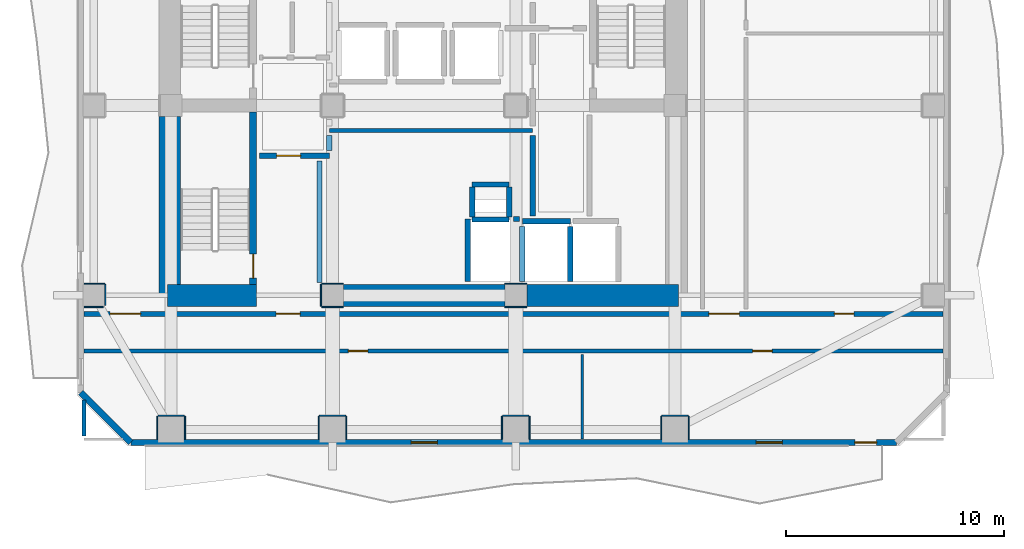
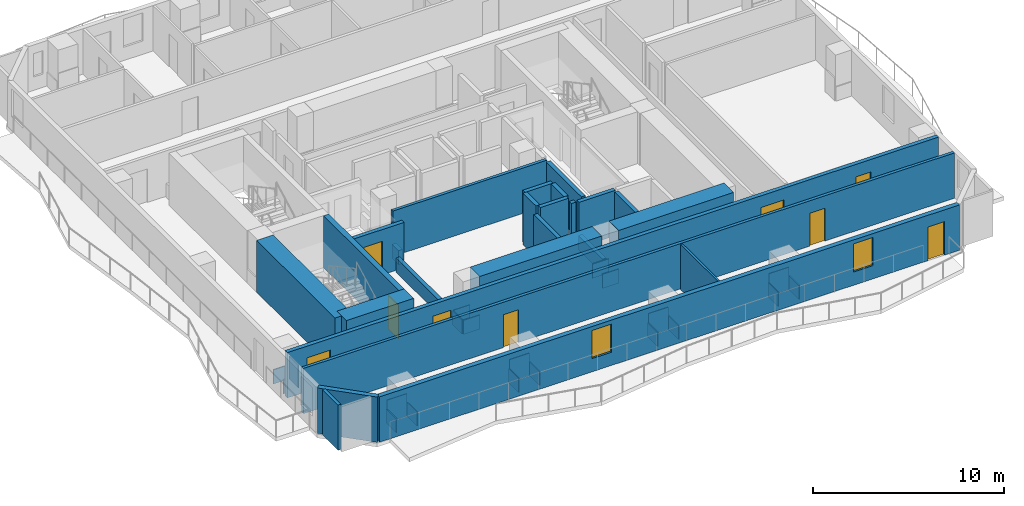
# One storey, part 2 of 9: 45 walls, 9 doors, 2 windows, 11 openings.
"""IFC4 building model written with IfcOpenShell, lengths in metres."""

from ifc_helpers import new_model, si_unit, direction, frame, frame_2d, origin, place, context, subcontext, project, spatial, rectangle, extrude, material, layer, layer_set, type_object, element, fill, save


model = new_model("IFC4")

# Units and contexts
model_context = context("Model", 3, precision=1e-05, world=origin(), true_north=direction((0.0, 1.0)))
body_context = subcontext(model_context, "Body", "Model", "MODEL_VIEW")
ifc_project = project(units=[si_unit("LENGTHUNIT", "METRE"), si_unit("AREAUNIT", "SQUARE_METRE"), si_unit("VOLUMEUNIT", "CUBIC_METRE"), si_unit("PLANEANGLEUNIT", "RADIAN"), si_unit("MASSUNIT", "GRAM", prefix="KILO")], contexts=[model_context])

# Site, building, storey
site_placement = place(None, origin())
site = spatial("IfcSite", under=ifc_project, at=site_placement, CompositionType="ELEMENT")
building_placement = place(site_placement, origin())
building = spatial("IfcBuilding", under=site, at=building_placement, Name="Solanera Arch Residences", CompositionType="ELEMENT")
storey_placement = place(building_placement, frame((0.0, 0.0, 162.52001953125)))
storey = spatial("IfcBuildingStorey", under=building, at=storey_placement, Name="L47", CompositionType="ELEMENT", Elevation=162.52001953125)

# Walls
ifc_material_1 = material(Name="Fire-Rated Gypsum Stud Partition", Category="gypsum")
ifc_layer_1 = layer(ifc_material_1, 0.06005859375)
ifc_layer_set_1 = layer_set([ifc_layer_1], Name="Fire-Rated Gypsum Stud Partition")
wall_type_1 = type_object("IfcWallType", Name="Column Acoustic Furring Wall 60", PredefinedType="PARTITIONING", material=ifc_layer_set_1)
for number, where, z_axis, x_axis, name in (
    (1, (20.300048828125, 21.468017578125, 0.0), (0.0, 0.0, 1.0), (1.0, 0.0, 0.0), "L47 Column Furring 1S"),
    (2, (20.300048828125, 22.531982421875, 0.0), (0.0, 0.0, 1.0), (1.0, 0.0, 0.0), "L47 Column Furring 1N"),
    (3, (20.26806640625, 21.5, 0.0), (0.0, 0.0, 1.0), (0.0, 1.0, 0.0), "L47 Column Furring 1W"),
    (4, (28.699951171875, 21.468017578125, 0.0), (0.0, 0.0, 1.0), (1.0, 0.0, 0.0), "L47 Column Furring 2S"),
    (5, (28.699951171875, 22.531982421875, 0.0), (0.0, 0.0, 1.0), (1.0, 0.0, 0.0), "L47 Column Furring 2N"),
):
    element("IfcWall", number, at=place(storey_placement, frame(where, z_axis=z_axis, x_axis=x_axis)), inside=storey, type_object=wall_type_1, Name=name, PredefinedType="PARTITIONING", context=body_context, shape_type="SweptSolid", body=[
        extrude(rectangle(XDim=1.0, YDim=0.06005859375, at=frame_2d((0.5, 0.0))), origin(), (0.0, 0.0, 1.0), 0.905029296875),
    ])
wall_1_placement = place(storey_placement, frame((12.800048828125, 16.48193359375, 0.0), z_axis=(0.0, 0.0, 1.0), x_axis=(1.0, 0.0, 0.0)))
element("IfcWall", 6, at=wall_1_placement, inside=storey, type_object=wall_type_1, Name="L47 Column Furring 9N", PredefinedType="PARTITIONING", context=body_context, shape_type="SweptSolid", body=[
    extrude(rectangle(XDim=1.199951171875, YDim=0.06005859375, at=frame_2d((0.60009765625, 0.0))), origin(), (0.0, 0.0, 1.0), 1.449951171875),
])
for number, where, z_axis, x_axis, name in (
    (7, (12.76806640625, 15.409912109375, 0.0), (0.0, 0.0, 1.0), (0.0, 1.0, 0.0), "L47 Column Furring 9W"),
    (8, (14.031982421875, 15.409912109375, 0.0), (0.0, 0.0, 1.0), (0.0, 1.0, 0.0), "L47 Column Furring 9E"),
):
    element("IfcWall", number, at=place(storey_placement, frame(where, z_axis=z_axis, x_axis=x_axis)), inside=storey, type_object=wall_type_1, Name=name, PredefinedType="PARTITIONING", context=body_context, shape_type="SweptSolid", body=[
        extrude(rectangle(XDim=1.0400390625, YDim=0.06005859375, at=frame_2d((0.52001953125, 0.0))), origin(), (0.0, 0.0, 1.0), 0.905029296875),
    ])
wall_2_placement = place(storey_placement, frame((20.199951171875, 16.48193359375, 0.0), z_axis=(0.0, 0.0, 1.0), x_axis=(1.0, 0.0, 0.0)))
element("IfcWall", 9, at=wall_2_placement, inside=storey, type_object=wall_type_1, Name="L47 Column Furring 11N", PredefinedType="PARTITIONING", context=body_context, shape_type="SweptSolid", body=[
    extrude(rectangle(XDim=1.199951171875, YDim=0.06005859375, at=frame_2d((0.60009765625, 0.0))), origin(), (0.0, 0.0, 1.0), 1.449951171875),
])
for number, where, z_axis, x_axis, name in (
    (10, (20.16796875, 15.409912109375, 0.0), (0.0, 0.0, 1.0), (0.0, 1.0, 0.0), "L47 Column Furring 11W"),
    (11, (21.431884765625, 15.409912109375, 0.0), (0.0, 0.0, 1.0), (0.0, 1.0, 0.0), "L47 Column Furring 11E"),
):
    element("IfcWall", number, at=place(storey_placement, frame(where, z_axis=z_axis, x_axis=x_axis)), inside=storey, type_object=wall_type_1, Name=name, PredefinedType="PARTITIONING", context=body_context, shape_type="SweptSolid", body=[
        extrude(rectangle(XDim=1.0400390625, YDim=0.06005859375, at=frame_2d((0.52001953125, 0.0))), origin(), (0.0, 0.0, 1.0), 0.905029296875),
    ])
wall_3_placement = place(storey_placement, frame((28.60009765625, 16.48193359375, 0.0), z_axis=(0.0, 0.0, 1.0), x_axis=(1.0, 0.0, 0.0)))
element("IfcWall", 12, at=wall_3_placement, inside=storey, type_object=wall_type_1, Name="L47 Column Furring 13N", PredefinedType="PARTITIONING", context=body_context, shape_type="SweptSolid", body=[
    extrude(rectangle(XDim=1.199951171875, YDim=0.06005859375, at=frame_2d((0.60009765625, 0.0))), origin(), (0.0, 0.0, 1.0), 1.449951171875),
])
for number, where, z_axis, x_axis, name in (
    (13, (28.568115234375, 15.409912109375, 0.0), (0.0, 0.0, 1.0), (0.0, 1.0, 0.0), "L47 Column Furring 13W"),
    (14, (29.83203125, 15.409912109375, 0.0), (0.0, 0.0, 1.0), (0.0, 1.0, 0.0), "L47 Column Furring 13E"),
):
    element("IfcWall", number, at=place(storey_placement, frame(where, z_axis=z_axis, x_axis=x_axis)), inside=storey, type_object=wall_type_1, Name=name, PredefinedType="PARTITIONING", context=body_context, shape_type="SweptSolid", body=[
        extrude(rectangle(XDim=1.0400390625, YDim=0.06005859375, at=frame_2d((0.52001953125, 0.0))), origin(), (0.0, 0.0, 1.0), 0.905029296875),
    ])
wall_4_placement = place(storey_placement, frame((35.89990234375, 16.48193359375, 0.0), z_axis=(0.0, 0.0, 1.0), x_axis=(1.0, 0.0, 0.0)))
element("IfcWall", 15, at=wall_4_placement, inside=storey, type_object=wall_type_1, Name="L47 Column Furring 15N", PredefinedType="PARTITIONING", context=body_context, shape_type="SweptSolid", body=[
    extrude(rectangle(XDim=1.2001953125, YDim=0.06005859375, at=frame_2d((0.60009765625, 0.0))), origin(), (0.0, 0.0, 1.0), 1.449951171875),
])
for number, where, z_axis, x_axis, name in (
    (16, (35.867919921875, 15.409912109375, 0.0), (0.0, 0.0, 1.0), (0.0, 1.0, 0.0), "L47 Column Furring 15W"),
    (17, (37.132080078125, 15.409912109375, 0.0), (0.0, 0.0, 1.0), (0.0, 1.0, 0.0), "L47 Column Furring 15E"),
):
    element("IfcWall", number, at=place(storey_placement, frame(where, z_axis=z_axis, x_axis=x_axis)), inside=storey, type_object=wall_type_1, Name=name, PredefinedType="PARTITIONING", context=body_context, shape_type="SweptSolid", body=[
        extrude(rectangle(XDim=1.0400390625, YDim=0.06005859375, at=frame_2d((0.52001953125, 0.0))), origin(), (0.0, 0.0, 1.0), 0.905029296875),
    ])
wall_5_placement = place(storey_placement, frame((9.409912109375, 21.468017578125, 0.0), z_axis=(0.0, 0.0, 1.0), x_axis=(1.0, 0.0, 0.0)))
element("IfcWall", 18, at=wall_5_placement, inside=storey, type_object=wall_type_1, Name="L47 Column Furring 17S", PredefinedType="PARTITIONING", context=body_context, shape_type="SweptSolid", body=[
    extrude(rectangle(XDim=0.87109375, YDim=0.06005859375, at=frame_2d((0.435546875, 0.0))), origin(), (0.0, 0.0, 1.0), 0.905029296875),
])
wall_6_placement = place(storey_placement, frame((9.409912109375, 22.531982421875, 0.0), z_axis=(0.0, 0.0, 1.0), x_axis=(1.0, 0.0, 0.0)))
element("IfcWall", 19, at=wall_6_placement, inside=storey, type_object=wall_type_1, Name="L47 Column Furring 17N", PredefinedType="PARTITIONING", context=body_context, shape_type="SweptSolid", body=[
    extrude(rectangle(XDim=0.940185546875, YDim=0.06005859375, at=frame_2d((0.47021484375, 0.0))), origin(), (0.0, 0.0, 1.0), 0.905029296875),
])
wall_7_placement = place(storey_placement, frame((10.382080078125, 21.5439453125, 0.0), z_axis=(0.0, 0.0, 1.0), x_axis=(0.0, 1.0, 0.0)))
element("IfcWall", 20, at=wall_7_placement, inside=storey, type_object=wall_type_1, Name="L47 Column Furring 17E", PredefinedType="PARTITIONING", context=body_context, shape_type="SweptSolid", body=[
    extrude(rectangle(XDim=0.9560546875, YDim=0.06005859375, at=frame_2d((0.47802734375, 0.0))), origin(), (0.0, 0.0, 1.0), 1.449951171875),
])
ifc_material_2 = material(Name="Concrete C55/67 (f'c = 60 MPa)", Category="concrete")
ifc_layer_2 = layer(ifc_material_2, 1.0)
ifc_layer_set_2 = layer_set([ifc_layer_2], Name="Concrete C55/67 (f'c = 60 MPa)")
wall_type_2 = type_object("IfcWallType", Name="Core Shear Wall CW-1000", PredefinedType="SHEAR", material=ifc_layer_set_2)
wall_8_placement = place(storey_placement, frame((13.340087890625, 22.0, 0.0), z_axis=(0.0, 0.0, 1.0), x_axis=(0.0, 1.0, 0.0)))
element("IfcWall", 21, at=wall_8_placement, inside=storey, type_object=wall_type_2, Name="L47 West Core South Shear Wall", PredefinedType="SHEAR", context=body_context, shape_type="SweptSolid", body=[
    extrude(rectangle(XDim=8.195068359375, YDim=1.0, at=frame_2d((4.09765625, 0.0))), origin(), (0.0, 0.0, 1.0), 3.320068359375),
])
wall_9_placement = place(storey_placement, frame((13.239990234375, 22.0, 0.0), z_axis=(0.0, 0.0, 1.0), x_axis=(1.0, 0.0, 0.0)))
element("IfcWall", 22, at=wall_9_placement, inside=storey, type_object=wall_type_2, Name="L47 South-West Core Shear Wall", PredefinedType="SHEAR", context=body_context, shape_type="SweptSolid", body=[
    extrude(rectangle(XDim=4.080078125, YDim=1.0, at=frame_2d((2.0400390625, 0.0))), origin(), (0.0, 0.0, 1.0), 3.320068359375),
])
wall_10_placement = place(storey_placement, frame((29.705078125, 22.0, 0.0), z_axis=(0.0, 0.0, 1.0), x_axis=(1.0, 0.0, 0.0)))
element("IfcWall", 23, at=wall_10_placement, inside=storey, type_object=wall_type_2, Name="L47 South-East Core Shear Wall", PredefinedType="SHEAR", context=body_context, shape_type="SweptSolid", body=[
    extrude(rectangle(XDim=6.954833984375, YDim=1.0, at=frame_2d((3.4775390625, 0.0))), origin(), (0.0, 0.0, 1.0), 3.320068359375),
])
wall_11_placement = place(storey_placement, frame((21.304931640625, 22.0, 0.0), z_axis=(0.0, 0.0, 1.0), x_axis=(1.0, 0.0, 0.0)))
element("IfcWall", 24, at=wall_11_placement, inside=storey, type_object=wall_type_2, Name="L47 Central South Core Shear Wall", PredefinedType="SHEAR", context=body_context, shape_type="SweptSolid", body=[
    extrude(rectangle(XDim=7.39013671875, YDim=1.0, at=frame_2d((3.695068359375, 0.0))), origin(), (0.0, 0.0, 1.0), 3.320068359375),
])

# Wall, opening, door
ifc_material_3 = material(Name="Concrete C40/50 (f'c = 45 MPa)", Category="concrete")
ifc_layer_3 = layer(ifc_material_3, 0.320068359375)
ifc_layer_set_3 = layer_set([ifc_layer_3], Name="Concrete C40/50 (f'c = 45 MPa)")
wall_type_3 = type_object("IfcWallType", Name="Core Shear Wall CW-320", PredefinedType="SHEAR", material=ifc_layer_set_3)
wall_12_placement = place(storey_placement, frame((17.159912109375, 22.5, 0.0), z_axis=(0.0, 0.0, 1.0), x_axis=(0.0, 1.0, 0.0)))
wall_12 = element("IfcWall", 25, at=wall_12_placement, inside=storey, type_object=wall_type_3, Name="L47 Stair ST-T3 East Shear Wall", PredefinedType="SHEAR", context=body_context, shape_type="SweptSolid", body=[
    extrude(rectangle(XDim=7.89990234375, YDim=0.320068359375, at=frame_2d((3.949951171875, 0.0))), origin(), (0.0, 0.0, 1.0), 3.320068359375),
])
opening_1_placement = place(wall_12_placement, frame((0.2900390625, 0.0, 0.0)))
opening_1 = element("IfcOpeningElement", 26, at=opening_1_placement, cuts=wall_12, Name="Opening DF-01", PredefinedType="OPENING", context=body_context, shape_type="SweptSolid", body=[
    extrude(rectangle(XDim=1.10009765625, YDim=2.14990234375, at=frame_2d((0.550048828125, 1.074951171875))), frame((0.0, 0.169921875, 0.0), z_axis=(0.0, -1.0, 0.0), x_axis=(1.0, 0.0, 0.0)), (0.0, 0.0, 1.0), 0.3401),
])
ifc_material_4 = material(Name="Fire-Rated Architectural Hardwood", Category="wood")
door_type_1 = type_object("IfcDoorType", Name="Stair Exit Fire Door DF-01", OperationType="NOTDEFINED", PredefinedType="DOOR", material=ifc_material_4)
door_1_placement = place(opening_1_placement, origin())
door_1 = element("IfcDoor", 27, at=door_1_placement, inside=storey, type_object=door_type_1, Name="DR-L47-STAIR-ST-T3", OperationType="SINGLE_SWING_LEFT", OverallHeight=2.14990234375, OverallWidth=1.10009765625, PredefinedType="DOOR", context=body_context, shape_type="SweptSolid", body=[
    extrude(rectangle(XDim=1.10009765625, YDim=2.14990234375, at=frame_2d((0.550048828125, 1.074951171875))), frame((0.0, 0.02490234375, 0.0), z_axis=(0.0, -1.0, 0.0), x_axis=(1.0, 0.0, 0.0)), (0.0, 0.0, 1.0), 0.050048828125),
])
fill(opening_1, door_1)

# Wall, openings, doors
ifc_material_5 = material(Name="Autoclaved Aerated Concrete Blockwork", Category="masonry")
ifc_layer_4 = layer(ifc_material_5, 0.179931640625)
ifc_layer_set_4 = layer_set([ifc_layer_4], Name="Autoclaved Aerated Concrete Blockwork")
wall_type_4 = type_object("IfcWallType", Name="Corridor Fire Partition 180", PredefinedType="PARTITIONING", material=ifc_layer_set_4)
wall_13_placement = place(storey_placement, frame((9.406982421875, 19.449951171875, 0.0), z_axis=(0.0, 0.0, 1.0), x_axis=(1.0, 0.0, 0.0)))
wall_13 = element("IfcWall", 28, at=wall_13_placement, inside=storey, type_object=wall_type_4, Name="L47 Interior Partition H7", PredefinedType="PARTITIONING", context=body_context, shape_type="SweptSolid", body=[
    extrude(rectangle(XDim=39.385986328125, YDim=0.179931640625, at=frame_2d((19.69287109375, 0.0))), origin(), (0.0, 0.0, 1.0), 2.89990234375),
])
opening_2_placement = place(wall_13_placement, frame((12.113037109375, 0.0, 0.0)))
opening_2 = element("IfcOpeningElement", 29, at=opening_2_placement, cuts=wall_13, Name="Opening DI-02", PredefinedType="OPENING", context=body_context, shape_type="SweptSolid", body=[
    extrude(rectangle(XDim=0.89990234375, YDim=2.10009765625, at=frame_2d((0.449951171875, 1.050048828125))), frame((0.0, 0.10009765625, 0.0), z_axis=(0.0, -1.0, 0.0), x_axis=(1.0, 0.0, 0.0)), (0.0, 0.0, 1.0), 0.1999),
])
opening_3_placement = place(wall_13_placement, frame((30.64501953125, 0.0, 0.0)))
opening_3 = element("IfcOpeningElement", 30, at=opening_3_placement, cuts=wall_13, Name="Opening DI-02", PredefinedType="OPENING", context=body_context, shape_type="SweptSolid", body=[
    extrude(rectangle(XDim=0.89990234375, YDim=2.10009765625, at=frame_2d((0.449951171875, 1.050048828125))), frame((0.0, 0.10009765625, 0.0), z_axis=(0.0, -1.0, 0.0), x_axis=(1.0, 0.0, 0.0)), (0.0, 0.0, 1.0), 0.1999),
])
ifc_material_6 = material(Name="Fire-Rated Architectural Hardwood", Category="wood")
door_type_2 = type_object("IfcDoorType", Name="Suite Room Swing Door DI-02", OperationType="NOTDEFINED", PredefinedType="DOOR", material=ifc_material_6)
door_2_placement = place(opening_2_placement, origin())
door_2 = element("IfcDoor", 31, at=door_2_placement, inside=storey, type_object=door_type_2, Name="DR-L47-IN-017", OperationType="SINGLE_SWING_LEFT", OverallHeight=2.10009765625, OverallWidth=0.89990234375, PredefinedType="DOOR", context=body_context, shape_type="SweptSolid", body=[
    extrude(rectangle(XDim=0.89990234375, YDim=2.10009765625, at=frame_2d((0.449951171875, 1.050048828125))), frame((0.0, 0.02490234375, 0.0), z_axis=(0.0, -1.0, 0.0), x_axis=(1.0, 0.0, 0.0)), (0.0, 0.0, 1.0), 0.050048828125),
])
fill(opening_2, door_2)
door_3_placement = place(opening_3_placement, origin())
door_3 = element("IfcDoor", 32, at=door_3_placement, inside=storey, type_object=door_type_2, Name="DR-L47-IN-018", OperationType="SINGLE_SWING_RIGHT", OverallHeight=2.10009765625, OverallWidth=0.89990234375, PredefinedType="DOOR", context=body_context, shape_type="SweptSolid", body=[
    extrude(rectangle(XDim=0.89990234375, YDim=2.10009765625, at=frame_2d((0.449951171875, 1.050048828125))), frame((0.0, 0.02490234375, 0.0), z_axis=(0.0, -1.0, 0.0), x_axis=(1.0, 0.0, 0.0)), (0.0, 0.0, 1.0), 0.050048828125),
])
fill(opening_3, door_3)

# Walls
wall_14_placement = place(storey_placement, frame((20.64990234375, 29.550048828125, 0.0), z_axis=(0.0, 0.0, 1.0), x_axis=(1.0, 0.0, 0.0)))
element("IfcWall", 33, at=wall_14_placement, inside=storey, type_object=wall_type_4, Name="L47 Interior Partition H8", PredefinedType="PARTITIONING", context=body_context, shape_type="SweptSolid", body=[
    extrude(rectangle(XDim=9.3251953125, YDim=0.179931640625, at=frame_2d((4.66259765625, 0.0))), origin(), (0.0, 0.0, 1.0), 2.89990234375),
])
wall_15_placement = place(storey_placement, frame((9.39990234375, 15.55810546875, 0.0), z_axis=(0.0, 0.0, 1.0), x_axis=(0.0, 1.0, 0.0)))
element("IfcWall", 34, at=wall_15_placement, inside=storey, type_object=wall_type_4, Name="L47 Interior Partition V8 1", PredefinedType="PARTITIONING", context=body_context, shape_type="SweptSolid", body=[
    extrude(rectangle(XDim=1.636962890625, YDim=0.179931640625, at=frame_2d((0.818359375, 0.0))), origin(), (0.0, 0.0, 1.0), 2.89990234375),
])

# Wall, openings, door, windows
ifc_material_7 = material(Name="Precast Concrete C35/45", Category="concrete")
ifc_layer_5 = layer(ifc_material_7, 0.280029296875)
ifc_layer_set_5 = layer_set([ifc_layer_5], Name="Precast Concrete C35/45")
wall_type_5 = type_object("IfcWallType", Name="Exterior Wall Precast Masonry-Frame 280", PredefinedType="STANDARD", material=ifc_layer_set_5)
wall_16_placement = place(storey_placement, frame((46.64501953125, 15.2548828125, 0.0), z_axis=(0.0, 0.0, 1.0), x_axis=(-1.0, 0.0, 0.0)))
wall_16 = element("IfcWall", 35, at=wall_16_placement, inside=storey, type_object=wall_type_5, Name="L47 Tower Exterior Precast Masonry-Frame Wall S", PredefinedType="STANDARD", context=body_context, shape_type="SweptSolid", body=[
    extrude(rectangle(XDim=35.090087890625, YDim=0.280029296875, at=frame_2d((17.544921875, 0.0))), origin(), (0.0, 0.0, 1.0), 2.89990234375),
])
opening_4_placement = place(wall_16_placement, frame((0.904052734375, 0.0, 0.0)))
opening_4 = element("IfcOpeningElement", 36, at=opening_4_placement, cuts=wall_16, Name="Opening DB-01", PredefinedType="OPENING", context=body_context, shape_type="SweptSolid", body=[
    extrude(rectangle(XDim=1.0, YDim=2.14990234375, at=frame_2d((0.5, 1.074951171875))), frame((0.0, 0.14990234375, 0.0), z_axis=(0.0, -1.0, 0.0), x_axis=(1.0, 0.0, 0.0)), (0.0, 0.0, 1.0), 0.3),
])
opening_5_placement = place(wall_16_placement, frame((21.044921875, 0.0, 0.85009765625)))
opening_5 = element("IfcOpeningElement", 37, at=opening_5_placement, cuts=wall_16, Name="Opening W-01", PredefinedType="OPENING", context=body_context, shape_type="SweptSolid", body=[
    extrude(rectangle(XDim=1.199951171875, YDim=1.800048828125, at=frame_2d((0.60009765625, 0.89990234375))), frame((0.0, 0.14990234375, 0.0), z_axis=(0.0, -1.0, 0.0), x_axis=(1.0, 0.0, 0.0)), (0.0, 0.0, 1.0), 0.3),
])
opening_6_placement = place(wall_16_placement, frame((5.22412109375, 0.0, 0.85009765625)))
opening_6 = element("IfcOpeningElement", 38, at=opening_6_placement, cuts=wall_16, Name="Opening W-01", PredefinedType="OPENING", context=body_context, shape_type="SweptSolid", body=[
    extrude(rectangle(XDim=1.199951171875, YDim=1.800048828125, at=frame_2d((0.60009765625, 0.89990234375))), frame((0.0, 0.14990234375, 0.0), z_axis=(0.0, -1.0, 0.0), x_axis=(1.0, 0.0, 0.0)), (0.0, 0.0, 1.0), 0.3),
])
ifc_material_8 = material(Name="Anodised Aluminium Alloy 6063-T6", Category="aluminium")
door_type_3 = type_object("IfcDoorType", Name="Glazed Balcony Swing Door DB-01", OperationType="NOTDEFINED", PredefinedType="DOOR", material=ifc_material_8)
door_4_placement = place(opening_4_placement, origin())
door_4 = element("IfcDoor", 39, at=door_4_placement, inside=storey, type_object=door_type_3, Name="DR-L47-OUT-01", OperationType="SINGLE_SWING_LEFT", OverallHeight=2.14990234375, OverallWidth=1.0, PredefinedType="DOOR", context=body_context, shape_type="SweptSolid", body=[
    extrude(rectangle(XDim=1.0, YDim=2.14990234375, at=frame_2d((0.5, 1.074951171875))), frame((0.0, 0.02490234375, 0.0), z_axis=(0.0, -1.0, 0.0), x_axis=(1.0, 0.0, 0.0)), (0.0, 0.0, 1.0), 0.050048828125),
])
fill(opening_4, door_4)
ifc_material_9 = material(Name="Double Glazed Low-E Laminated Glass", Category="glass")
window_type = type_object("IfcWindowType", Name="Punched Window W-01", PartitioningType="SINGLE_PANEL", PredefinedType="WINDOW", material=ifc_material_9)
window_1_placement = place(opening_5_placement, origin())
window_1 = element("IfcWindow", 40, at=window_1_placement, inside=storey, type_object=window_type, Name="L47 AMN-LNG Punched Window", OverallHeight=1.800048828125, OverallWidth=1.199951171875, PartitioningType="SINGLE_PANEL", PredefinedType="WINDOW", context=body_context, shape_type="SweptSolid", body=[
    extrude(rectangle(XDim=1.199951171875, YDim=1.800048828125, at=frame_2d((0.60009765625, 0.89990234375))), frame((0.0, 0.030029296875, 0.0), z_axis=(0.0, -1.0, 0.0), x_axis=(1.0, 0.0, 0.0)), (0.0, 0.0, 1.0), 0.06005859375),
])
fill(opening_5, window_1)
window_2_placement = place(opening_6_placement, origin())
window_2 = element("IfcWindow", 41, at=window_2_placement, inside=storey, type_object=window_type, Name="L47 AMN-BRD Punched Window", OverallHeight=1.800048828125, OverallWidth=1.199951171875, PartitioningType="SINGLE_PANEL", PredefinedType="WINDOW", context=body_context, shape_type="SweptSolid", body=[
    extrude(rectangle(XDim=1.199951171875, YDim=1.800048828125, at=frame_2d((0.60009765625, 0.89990234375))), frame((0.0, 0.030029296875, 0.0), z_axis=(0.0, -1.0, 0.0), x_axis=(1.0, 0.0, 0.0)), (0.0, 0.0, 1.0), 0.06005859375),
])
fill(opening_6, window_2)

# Walls
wall_17_placement = place(storey_placement, frame((11.554931640625, 15.2548828125, 0.0), z_axis=(0.0, 0.0, 1.0), x_axis=(-0.707106781187, 0.707106781187, 0.0)))
element("IfcWall", 42, at=wall_17_placement, inside=storey, type_object=wall_type_5, Name="L47 Tower Exterior Precast Masonry-Frame Wall CH7", PredefinedType="STANDARD", context=body_context, shape_type="SweptSolid", body=[
    extrude(rectangle(XDim=3.252685546875, YDim=0.280029296875, at=frame_2d((1.62646484375, 0.0))), origin(), (0.0, 0.0, 1.0), 2.89990234375),
])
ifc_material_10 = material(Name="Concrete C40/50 (f'c = 45 MPa)", Category="concrete")
ifc_layer_6 = layer(ifc_material_10, 0.239990234375)
ifc_layer_set_6 = layer_set([ifc_layer_6], Name="Concrete C40/50 (f'c = 45 MPa)")
wall_type_6 = type_object("IfcWallType", Name="Ramp Bearing Shear Wall RW-240", PredefinedType="SHEAR", material=ifc_layer_set_6)
for number, where, z_axis, x_axis, name in (
    (43, (27.199951171875, 25.47998046875, 0.0), (0.0, 0.0, 1.0), (1.0, 0.0, 0.0), "L47 Core MEP Riser South Shaft Wall"),
    (44, (27.199951171875, 27.080078125, 0.0), (0.0, 0.0, 1.0), (1.0, 0.0, 0.0), "L47 Core MEP Riser North Shaft Wall"),
):
    element("IfcWall", number, at=place(storey_placement, frame(where, z_axis=z_axis, x_axis=x_axis)), inside=storey, type_object=wall_type_6, Name=name, PredefinedType="SHEAR", context=body_context, shape_type="SweptSolid", body=[
        extrude(rectangle(XDim=1.699951171875, YDim=0.239990234375, at=frame_2d((0.85009765625, 0.0))), origin(), (0.0, 0.0, 1.0), 3.320068359375),
    ])
for number, where, z_axis, x_axis, name in (
    (45, (27.199951171875, 25.60009765625, 0.0), (0.0, 0.0, 1.0), (0.0, 1.0, 0.0), "L47 Core MEP Riser West Shaft Wall"),
    (46, (28.89990234375, 25.60009765625, 0.0), (0.0, 0.0, 1.0), (0.0, 1.0, 0.0), "L47 Core MEP Riser East Shaft Wall"),
):
    element("IfcWall", number, at=place(storey_placement, frame(where, z_axis=z_axis, x_axis=x_axis)), inside=storey, type_object=wall_type_6, Name=name, PredefinedType="SHEAR", context=body_context, shape_type="SweptSolid", body=[
        extrude(rectangle(XDim=1.35986328125, YDim=0.239990234375, at=frame_2d((0.679931640625, 0.0))), origin(), (0.0, 0.0, 1.0), 3.320068359375),
    ])
ifc_material_11 = material(Name="Autoclaved Aerated Concrete Blockwork", Category="masonry")
ifc_layer_7 = layer(ifc_material_11, 0.239990234375)
ifc_layer_set_7 = layer_set([ifc_layer_7], Name="Autoclaved Aerated Concrete Blockwork")
wall_type_7 = type_object("IfcWallType", Name="Shaft Wall Fire-Rated 240", PredefinedType="PARTITIONING", material=ifc_layer_set_7)
wall_18_placement = place(storey_placement, frame((29.5, 25.39990234375, 0.0), z_axis=(0.0, 0.0, 1.0), x_axis=(1.0, 0.0, 0.0)))
element("IfcWall", 47, at=wall_18_placement, inside=storey, type_object=wall_type_7, Name="L47 Lift FFL-1 Hoistway Wall N", PredefinedType="PARTITIONING", context=body_context, shape_type="SweptSolid", body=[
    extrude(rectangle(XDim=2.199951171875, YDim=0.239990234375, at=frame_2d((1.10009765625, 0.0))), origin(), (0.0, 0.0, 1.0), 2.89990234375),
])
wall_19_placement = place(storey_placement, frame((29.5, 22.632080078125, 0.0), z_axis=(0.0, 0.0, 1.0), x_axis=(0.0, 1.0, 0.0)))
element("IfcWall", 48, at=wall_19_placement, inside=storey, type_object=wall_type_7, Name="L47 Lift FFL-1 Hoistway Wall W", PredefinedType="PARTITIONING", context=body_context, shape_type="SweptSolid", body=[
    extrude(rectangle(XDim=2.52001953125, YDim=0.239990234375, at=frame_2d((1.260009765625, 0.0))), origin(), (0.0, 0.0, 1.0), 0.905029296875),
])
wall_20_placement = place(storey_placement, frame((31.699951171875, 22.6298828125, 0.0), z_axis=(0.0, 0.0, 1.0), x_axis=(0.0, 1.0, 0.0)))
element("IfcWall", 49, at=wall_20_placement, inside=storey, type_object=wall_type_7, Name="L47 Lift FFL-1 Hoistway Wall E", PredefinedType="PARTITIONING", context=body_context, shape_type="SweptSolid", body=[
    extrude(rectangle(XDim=2.522216796875, YDim=0.239990234375, at=frame_2d((1.26123046875, 0.0))), origin(), (0.0, 0.0, 1.0), 2.89990234375),
])
wall_21_placement = place(storey_placement, frame((29.10302734375, 25.5, 0.0), z_axis=(0.0, 0.0, 1.0), x_axis=(1.0, 0.0, 0.0)))
element("IfcWall", 50, at=wall_21_placement, inside=storey, type_object=wall_type_7, Name="L47 Lift SVL-1 Hoistway Wall N", PredefinedType="PARTITIONING", context=body_context, shape_type="SweptSolid", body=[
    extrude(rectangle(XDim=0.26904296875, YDim=0.239990234375, at=frame_2d((0.134521484375, 0.0))), origin(), (0.0, 0.0, 1.0), 2.89990234375),
])
wall_22_placement = place(storey_placement, frame((27.0, 22.6298828125, 0.0), z_axis=(0.0, 0.0, 1.0), x_axis=(0.0, 1.0, 0.0)))
element("IfcWall", 51, at=wall_22_placement, inside=storey, type_object=wall_type_7, Name="L47 Lift SVL-1 Hoistway Wall W", PredefinedType="PARTITIONING", context=body_context, shape_type="SweptSolid", body=[
    extrude(rectangle(XDim=2.8681640625, YDim=0.239990234375, at=frame_2d((1.43408203125, 0.0))), origin(), (0.0, 0.0, 1.0), 2.89990234375),
])

# Wall, openings, doors
wall_23_placement = place(storey_placement, frame((9.406982421875, 21.14990234375, 0.0), z_axis=(0.0, 0.0, 1.0), x_axis=(1.0, 0.0, 0.0)))
wall_23 = element("IfcWall", 52, at=wall_23_placement, inside=storey, type_object=wall_type_7, Name="L47 Interior Partition H1", PredefinedType="PARTITIONING", context=body_context, shape_type="SweptSolid", body=[
    extrude(rectangle(XDim=39.385986328125, YDim=0.239990234375, at=frame_2d((19.69287109375, 0.0))), origin(), (0.0, 0.0, 1.0), 2.89990234375),
])
opening_7_placement = place(wall_23_placement, frame((8.802978515625, 0.0, 0.0)))
opening_7 = element("IfcOpeningElement", 53, at=opening_7_placement, cuts=wall_23, Name="Opening DF-02", PredefinedType="OPENING", context=body_context, shape_type="SweptSolid", body=[
    extrude(rectangle(XDim=1.10009765625, YDim=2.14990234375, at=frame_2d((0.550048828125, 1.074951171875))), frame((0.0, 0.1298828125, 0.0), z_axis=(0.0, -1.0, 0.0), x_axis=(1.0, 0.0, 0.0)), (0.0, 0.0, 1.0), 0.26),
])
opening_8_placement = place(wall_23_placement, frame((1.19189453125, 0.0, 0.0)))
opening_8 = element("IfcOpeningElement", 54, at=opening_8_placement, cuts=wall_23, Name="Opening DF-03", PredefinedType="OPENING", context=body_context, shape_type="SweptSolid", body=[
    extrude(rectangle(XDim=1.39990234375, YDim=2.14990234375, at=frame_2d((0.699951171875, 1.074951171875))), frame((0.0, 0.1298828125, 0.0), z_axis=(0.0, -1.0, 0.0), x_axis=(1.0, 0.0, 0.0)), (0.0, 0.0, 1.0), 0.26),
])
opening_9_placement = place(wall_23_placement, frame((28.64306640625, 0.0, 0.0)))
opening_9 = element("IfcOpeningElement", 55, at=opening_9_placement, cuts=wall_23, Name="Opening DF-03", PredefinedType="OPENING", context=body_context, shape_type="SweptSolid", body=[
    extrude(rectangle(XDim=1.39990234375, YDim=2.14990234375, at=frame_2d((0.699951171875, 1.074951171875))), frame((0.0, 0.1298828125, 0.0), z_axis=(0.0, -1.0, 0.0), x_axis=(1.0, 0.0, 0.0)), (0.0, 0.0, 1.0), 0.26),
])
opening_10_placement = place(wall_23_placement, frame((34.39404296875, 0.0, 0.0)))
opening_10 = element("IfcOpeningElement", 56, at=opening_10_placement, cuts=wall_23, Name="Opening DI-02", PredefinedType="OPENING", context=body_context, shape_type="SweptSolid", body=[
    extrude(rectangle(XDim=0.89990234375, YDim=2.10009765625, at=frame_2d((0.449951171875, 1.050048828125))), frame((0.0, 0.1298828125, 0.0), z_axis=(0.0, -1.0, 0.0), x_axis=(1.0, 0.0, 0.0)), (0.0, 0.0, 1.0), 0.26),
])
ifc_material_12 = material(Name="Fire-Rated Architectural Hardwood", Category="wood")
door_type_4 = type_object("IfcDoorType", Name="Corridor Smoke Door DF-03", OperationType="NOTDEFINED", PredefinedType="DOOR", material=ifc_material_12)
door_5_placement = place(opening_8_placement, origin())
door_5 = element("IfcDoor", 57, at=door_5_placement, inside=storey, type_object=door_type_4, Name="DR-L47-IN-010", OperationType="SINGLE_SWING_RIGHT", OverallHeight=2.14990234375, OverallWidth=1.39990234375, PredefinedType="DOOR", context=body_context, shape_type="SweptSolid", body=[
    extrude(rectangle(XDim=1.39990234375, YDim=2.14990234375, at=frame_2d((0.699951171875, 1.074951171875))), frame((0.0, 0.02490234375, 0.0), z_axis=(0.0, -1.0, 0.0), x_axis=(1.0, 0.0, 0.0)), (0.0, 0.0, 1.0), 0.050048828125),
])
fill(opening_8, door_5)
door_6_placement = place(opening_9_placement, origin())
door_6 = element("IfcDoor", 58, at=door_6_placement, inside=storey, type_object=door_type_4, Name="DR-L47-IN-011", OperationType="SINGLE_SWING_LEFT", OverallHeight=2.14990234375, OverallWidth=1.39990234375, PredefinedType="DOOR", context=body_context, shape_type="SweptSolid", body=[
    extrude(rectangle(XDim=1.39990234375, YDim=2.14990234375, at=frame_2d((0.699951171875, 1.074951171875))), frame((0.0, 0.02490234375, 0.0), z_axis=(0.0, -1.0, 0.0), x_axis=(1.0, 0.0, 0.0)), (0.0, 0.0, 1.0), 0.050048828125),
])
fill(opening_9, door_6)
ifc_material_13 = material(Name="Fire-Rated Architectural Hardwood", Category="wood")
door_type_5 = type_object("IfcDoorType", Name="Firefighting Lobby Fire Door DF-02", OperationType="NOTDEFINED", PredefinedType="DOOR", material=ifc_material_13)
door_7_placement = place(opening_7_placement, origin())
door_7 = element("IfcDoor", 59, at=door_7_placement, inside=storey, type_object=door_type_5, Name="DR-L47-IN-008", OperationType="SINGLE_SWING_RIGHT", OverallHeight=2.14990234375, OverallWidth=1.10009765625, PredefinedType="DOOR", context=body_context, shape_type="SweptSolid", body=[
    extrude(rectangle(XDim=1.10009765625, YDim=2.14990234375, at=frame_2d((0.550048828125, 1.074951171875))), frame((0.0, 0.02490234375, 0.0), z_axis=(0.0, -1.0, 0.0), x_axis=(1.0, 0.0, 0.0)), (0.0, 0.0, 1.0), 0.050048828125),
])
fill(opening_7, door_7)
door_8_placement = place(opening_10_placement, origin())
door_8 = element("IfcDoor", 60, at=door_8_placement, inside=storey, type_object=door_type_2, Name="DR-L47-IN-033", OperationType="SINGLE_SWING_LEFT", OverallHeight=2.10009765625, OverallWidth=0.89990234375, PredefinedType="DOOR", context=body_context, shape_type="SweptSolid", body=[
    extrude(rectangle(XDim=0.89990234375, YDim=2.10009765625, at=frame_2d((0.449951171875, 1.050048828125))), frame((0.0, 0.02490234375, 0.0), z_axis=(0.0, -1.0, 0.0), x_axis=(1.0, 0.0, 0.0)), (0.0, 0.0, 1.0), 0.050048828125),
])
fill(opening_10, door_8)

# Wall, opening, door
wall_24_placement = place(storey_placement, frame((17.449951171875, 28.39990234375, 0.0), z_axis=(0.0, 0.0, 1.0), x_axis=(1.0, 0.0, 0.0)))
wall_24 = element("IfcWall", 61, at=wall_24_placement, inside=storey, type_object=wall_type_7, Name="L47 Interior Partition H3", PredefinedType="PARTITIONING", context=body_context, shape_type="SweptSolid", body=[
    extrude(rectangle(XDim=3.199951171875, YDim=0.239990234375, at=frame_2d((1.60009765625, 0.0))), origin(), (0.0, 0.0, 1.0), 2.89990234375),
])
opening_11_placement = place(wall_24_placement, frame((0.783935546875, 0.0, 0.0)))
opening_11 = element("IfcOpeningElement", 62, at=opening_11_placement, cuts=wall_24, Name="Opening DF-02", PredefinedType="OPENING", context=body_context, shape_type="SweptSolid", body=[
    extrude(rectangle(XDim=1.10009765625, YDim=2.14990234375, at=frame_2d((0.550048828125, 1.074951171875))), frame((0.0, 0.1298828125, 0.0), z_axis=(0.0, -1.0, 0.0), x_axis=(1.0, 0.0, 0.0)), (0.0, 0.0, 1.0), 0.26),
])
door_9_placement = place(opening_11_placement, origin())
door_9 = element("IfcDoor", 63, at=door_9_placement, inside=storey, type_object=door_type_5, Name="DR-L47-IN-004", OperationType="SINGLE_SWING_RIGHT", OverallHeight=2.14990234375, OverallWidth=1.10009765625, PredefinedType="DOOR", context=body_context, shape_type="SweptSolid", body=[
    extrude(rectangle(XDim=1.10009765625, YDim=2.14990234375, at=frame_2d((0.550048828125, 1.074951171875))), frame((0.0, 0.02490234375, 0.0), z_axis=(0.0, -1.0, 0.0), x_axis=(1.0, 0.0, 0.0)), (0.0, 0.0, 1.0), 0.050048828125),
])
fill(opening_11, door_9)

# Walls
wall_25_placement = place(storey_placement, frame((20.199951171875, 22.5859375, 0.0), z_axis=(0.0, 0.0, 1.0), x_axis=(0.0, 1.0, 0.0)))
element("IfcWall", 64, at=wall_25_placement, inside=storey, type_object=wall_type_7, Name="L47 Interior Partition V2", PredefinedType="PARTITIONING", context=body_context, shape_type="SweptSolid", body=[
    extrude(rectangle(XDim=5.566162109375, YDim=0.239990234375, at=frame_2d((2.783203125, 0.0))), origin(), (0.0, 0.0, 1.0), 0.905029296875),
])
wall_26_placement = place(storey_placement, frame((20.64990234375, 28.64794921875, 0.0), z_axis=(0.0, 0.0, 1.0), x_axis=(0.0, 1.0, 0.0)))
element("IfcWall", 65, at=wall_26_placement, inside=storey, type_object=wall_type_7, Name="L47 Interior Partition V3 1", PredefinedType="PARTITIONING", context=body_context, shape_type="SweptSolid", body=[
    extrude(rectangle(XDim=0.68408203125, YDim=0.239990234375, at=frame_2d((0.342041015625, 0.0))), origin(), (0.0, 0.0, 1.0), 0.905029296875),
])
wall_27_placement = place(storey_placement, frame((29.97509765625, 25.64794921875, 0.0), z_axis=(0.0, 0.0, 1.0), x_axis=(0.0, 1.0, 0.0)))
element("IfcWall", 66, at=wall_27_placement, inside=storey, type_object=wall_type_7, Name="L47 Interior Partition V4 1", PredefinedType="PARTITIONING", context=body_context, shape_type="SweptSolid", body=[
    extrude(rectangle(XDim=3.68408203125, YDim=0.239990234375, at=frame_2d((1.842041015625, 0.0))), origin(), (0.0, 0.0, 1.0), 2.89990234375),
])
ifc_material_14 = material(Name="Fire-Rated Gypsum Stud Partition", Category="gypsum")
ifc_layer_8 = layer(ifc_material_14, 0.1201171875)
ifc_layer_set_8 = layer_set([ifc_layer_8], Name="Fire-Rated Gypsum Stud Partition")
wall_type_8 = type_object("IfcWallType", Name="Unit Drywall Partition 120", PredefinedType="PARTITIONING", material=ifc_layer_set_8)
wall_28_placement = place(storey_placement, frame((32.251953125, 15.406982421875, 0.0), z_axis=(0.0, 0.0, 1.0), x_axis=(0.0, 1.0, 0.0)))
element("IfcWall", 67, at=wall_28_placement, inside=storey, type_object=wall_type_8, Name="L47 Interior Partition V18", PredefinedType="PARTITIONING", context=body_context, shape_type="SweptSolid", body=[
    extrude(rectangle(XDim=3.885009765625, YDim=0.1201171875, at=frame_2d((1.9423828125, 0.0))), origin(), (0.0, 0.0, 1.0), 2.89990234375),
])

save(model, "model.ifc")
